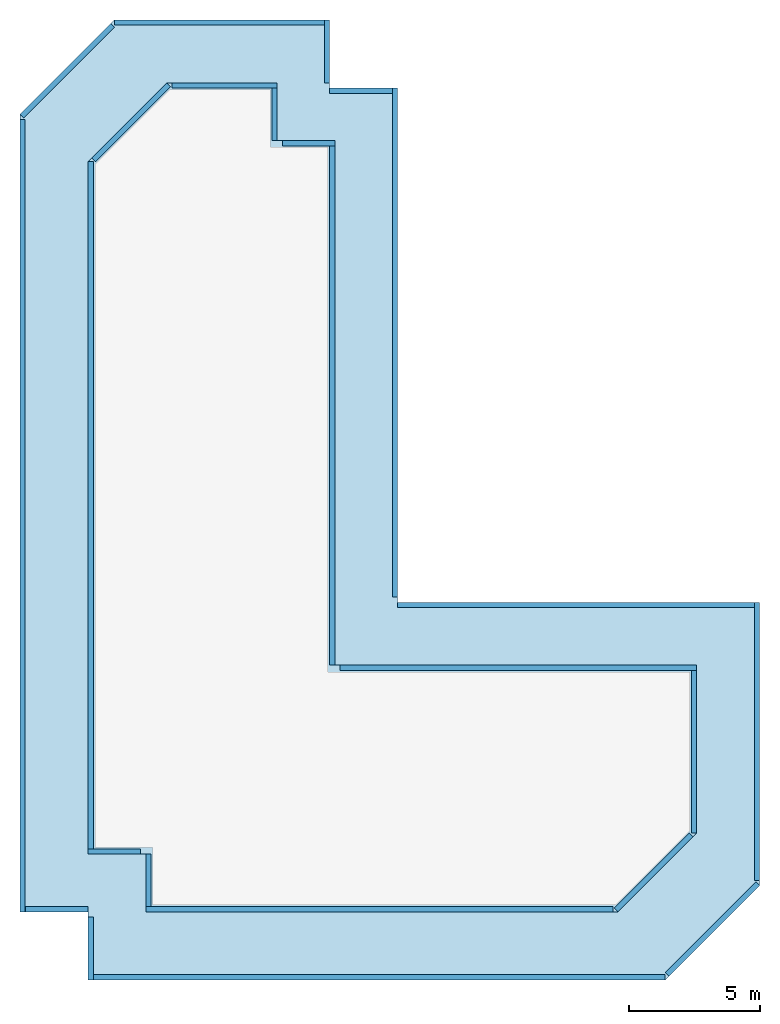
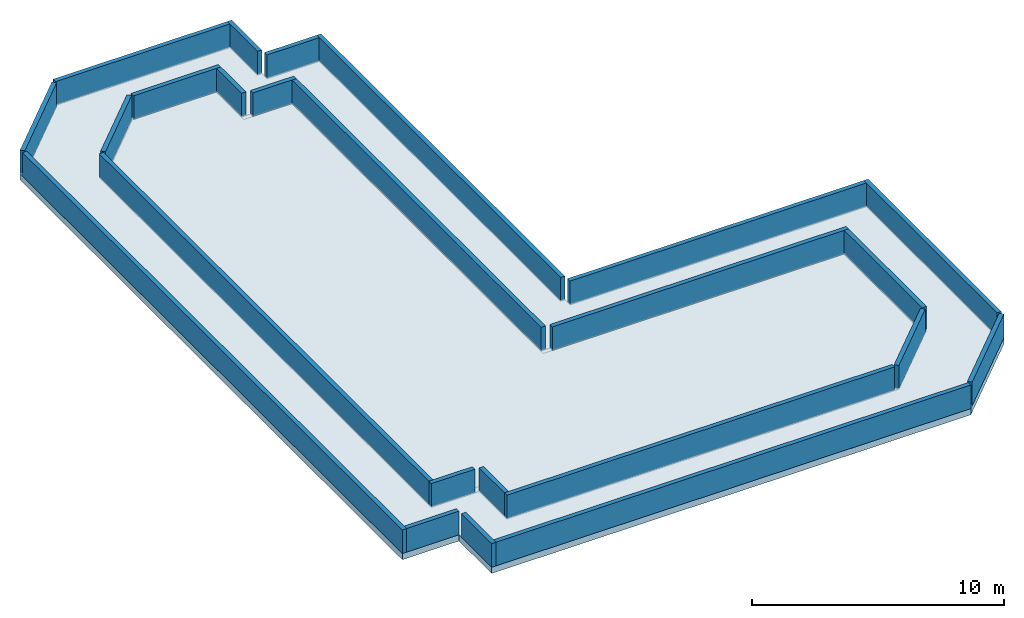
# One storey, part 1 of 2: 24 walls, 1 roof, 1 slab.
"""IFC4 building model written with IfcOpenShell, lengths in metres."""

from ifc_helpers import new_model, si_unit, direction, frame, frame_2d, origin, place, context, subcontext, project, spatial, polyline, rectangle, outline, extrude, material, layer, layer_set, type_object, element, save


model = new_model("IFC4")

# Units and contexts
model_context = context("Model", 3, precision=1e-05, world=origin(), true_north=direction((0.0, 1.0)))
body_context = subcontext(model_context, "Body", "Model", "MODEL_VIEW")
ifc_project = project(units=[si_unit("LENGTHUNIT", "METRE"), si_unit("AREAUNIT", "SQUARE_METRE"), si_unit("VOLUMEUNIT", "CUBIC_METRE"), si_unit("PLANEANGLEUNIT", "RADIAN"), si_unit("MASSUNIT", "GRAM", prefix="KILO")], contexts=[model_context])

# Site, building, storey
site_placement = place(None, origin())
site = spatial("IfcSite", under=ifc_project, at=site_placement, CompositionType="ELEMENT")
building_placement = place(site_placement, origin())
building = spatial("IfcBuilding", under=site, at=building_placement, Name="Nerrivon Quay Data Exchange", CompositionType="ELEMENT")
storey_placement = place(building_placement, frame((0.0, 0.0, 343.199951171875)))
storey = spatial("IfcBuildingStorey", under=building, at=storey_placement, Name="RF", CompositionType="ELEMENT", Elevation=343.199951171875)

# Slab
ifc_material_1 = material(Name="Concrete N50 (50 MPa)", Category="concrete")
ifc_layer_1 = layer(ifc_material_1, 0.300048828125)
ifc_layer_set_1 = layer_set([ifc_layer_1], Name="Concrete N50 (50 MPa)")
slab_type = type_object("IfcSlabType", Name="SLB-ROOF-300", PredefinedType="ROOF", material=ifc_layer_set_1)
slab_placement = place(storey_placement, frame((0.0, 0.0, -0.300048828125)))
element("IfcSlab", 1, at=slab_placement, inside=storey, type_object=slab_type, Name="RF Primary Structural Slab", PredefinedType="ROOF", context=body_context, shape_type="SweptSolid", body=[
    extrude(outline(polyline([(31.199951171875, 17.39990234375), (17.39990234375, 17.39990234375), (17.39990234375, 37.39990234375), (15.199951171875, 37.39990234375), (15.199951171875, 39.60009765625), (11.0, 39.60009765625), (8.0, 36.60009765625), (8.0, 10.199951171875), (10.199951171875, 10.199951171875), (10.199951171875, 8.0), (28.199951171875, 8.0), (31.199951171875, 11.0), (31.199951171875, 17.39990234375)])), origin(), (0.0, 0.0, 1.0), 0.300048828125),
])

# Walls
ifc_material_2 = material(Name="Precast concrete N50 (50 MPa)", Category="concrete")
ifc_layer_2 = layer(ifc_material_2, 0.199951171875)
ifc_layer_set_2 = layer_set([ifc_layer_2], Name="Precast concrete N50 (50 MPa)")
wall_type = type_object("IfcWallType", Name="PAR-RC-1", PredefinedType="PARAPET", material=ifc_layer_set_2)
wall_1_placement = place(storey_placement, frame((33.39990234375, 19.699951171875, 0.0), z_axis=(0.0, 0.0, 1.0), x_axis=(-1.0, 0.0, 0.0)))
element("IfcWall", 2, at=wall_1_placement, inside=storey, type_object=wall_type, Name="RF Stepped Crown Parapet 1.1", PredefinedType="PARAPET", context=body_context, shape_type="SweptSolid", body=[
    extrude(rectangle(XDim=13.599853515625, YDim=0.199951171875, at=frame_2d((6.7998046875, 0.0))), origin(), (0.0, 0.0, 1.0), 1.150146484375),
])
wall_2_placement = place(storey_placement, frame((19.699951171875, 20.0, 0.0), z_axis=(0.0, 0.0, 1.0), x_axis=(0.0, 1.0, 0.0)))
element("IfcWall", 3, at=wall_2_placement, inside=storey, type_object=wall_type, Name="RF Stepped Crown Parapet 1.2", PredefinedType="PARAPET", context=body_context, shape_type="SweptSolid", body=[
    extrude(rectangle(XDim=19.39990234375, YDim=0.199951171875, at=frame_2d((9.699951171875, 0.0))), origin(), (0.0, 0.0, 1.0), 1.150146484375),
])
wall_3_placement = place(storey_placement, frame((19.60009765625, 39.300048828125, 0.0), z_axis=(0.0, 0.0, 1.0), x_axis=(-1.0, 0.0, 0.0)))
element("IfcWall", 4, at=wall_3_placement, inside=storey, type_object=wall_type, Name="RF Stepped Crown Parapet 1.3", PredefinedType="PARAPET", context=body_context, shape_type="SweptSolid", body=[
    extrude(rectangle(XDim=2.400146484375, YDim=0.199951171875, at=frame_2d((1.2001953125, 0.0))), origin(), (0.0, 0.0, 1.0), 1.150146484375),
])
wall_4_placement = place(storey_placement, frame((17.10009765625, 39.60009765625, 0.0), z_axis=(0.0, 0.0, 1.0), x_axis=(0.0, 1.0, 0.0)))
element("IfcWall", 5, at=wall_4_placement, inside=storey, type_object=wall_type, Name="RF Stepped Crown Parapet 1.4", PredefinedType="PARAPET", context=body_context, shape_type="SweptSolid", body=[
    extrude(rectangle(XDim=2.39990234375, YDim=0.199951171875, at=frame_2d((1.199951171875, 0.0))), origin(), (0.0, 0.0, 1.0), 1.150146484375),
])
wall_5_placement = place(storey_placement, frame((17.0, 41.89990234375, 0.0), z_axis=(0.0, 0.0, 1.0), x_axis=(-1.0, 0.0, 0.0)))
element("IfcWall", 6, at=wall_5_placement, inside=storey, type_object=wall_type, Name="RF Stepped Crown Parapet 1.5", PredefinedType="PARAPET", context=body_context, shape_type="SweptSolid", body=[
    extrude(rectangle(XDim=8.0, YDim=0.199951171875, at=frame_2d((4.0, 0.0))), origin(), (0.0, 0.0, 1.0), 1.150146484375),
])
wall_6_placement = place(storey_placement, frame((8.92919921875, 41.787841796875, 0.0), z_axis=(0.0, 0.0, 1.0), x_axis=(-0.707106781187, -0.707106781187, 0.0)))
element("IfcWall", 7, at=wall_6_placement, inside=storey, type_object=wall_type, Name="RF Stepped Crown Parapet 1.6", PredefinedType="PARAPET", context=body_context, shape_type="SweptSolid", body=[
    extrude(rectangle(XDim=4.89111328125, YDim=0.199951171875, at=frame_2d((2.445556640625, 0.0))), origin(), (0.0, 0.0, 1.0), 1.150146484375),
])
wall_7_placement = place(storey_placement, frame((5.5, 38.199951171875, 0.0), z_axis=(0.0, 0.0, 1.0), x_axis=(0.0, -1.0, 0.0)))
element("IfcWall", 8, at=wall_7_placement, inside=storey, type_object=wall_type, Name="RF Stepped Crown Parapet 1.7", PredefinedType="PARAPET", context=body_context, shape_type="SweptSolid", body=[
    extrude(rectangle(XDim=30.199951171875, YDim=0.199951171875, at=frame_2d((15.10009765625, 0.0))), origin(), (0.0, 0.0, 1.0), 1.150146484375),
])
wall_8_placement = place(storey_placement, frame((5.60009765625, 8.10009765625, 0.0), z_axis=(0.0, 0.0, 1.0), x_axis=(1.0, 0.0, 0.0)))
element("IfcWall", 9, at=wall_8_placement, inside=storey, type_object=wall_type, Name="RF Stepped Crown Parapet 1.8", PredefinedType="PARAPET", context=body_context, shape_type="SweptSolid", body=[
    extrude(rectangle(XDim=2.39990234375, YDim=0.199951171875, at=frame_2d((1.199951171875, 0.0))), origin(), (0.0, 0.0, 1.0), 1.150146484375),
])
wall_9_placement = place(storey_placement, frame((8.10009765625, 7.800048828125, 0.0), z_axis=(0.0, 0.0, 1.0), x_axis=(0.0, -1.0, 0.0)))
element("IfcWall", 10, at=wall_9_placement, inside=storey, type_object=wall_type, Name="RF Stepped Crown Parapet 1.9", PredefinedType="PARAPET", context=body_context, shape_type="SweptSolid", body=[
    extrude(rectangle(XDim=2.400146484375, YDim=0.199951171875, at=frame_2d((1.2001953125, 0.0))), origin(), (0.0, 0.0, 1.0), 1.150146484375),
])
wall_10_placement = place(storey_placement, frame((8.199951171875, 5.5, 0.0), z_axis=(0.0, 0.0, 1.0), x_axis=(1.0, 0.0, 0.0)))
element("IfcWall", 11, at=wall_10_placement, inside=storey, type_object=wall_type, Name="RF Stepped Crown Parapet 1.10", PredefinedType="PARAPET", context=body_context, shape_type="SweptSolid", body=[
    extrude(rectangle(XDim=21.800048828125, YDim=0.199951171875, at=frame_2d((10.89990234375, 0.0))), origin(), (0.0, 0.0, 1.0), 1.150146484375),
])
wall_11_placement = place(storey_placement, frame((30.07080078125, 5.612060546875, 0.0), z_axis=(0.0, 0.0, 1.0), x_axis=(0.707081823743, 0.70713173775, 0.0)))
element("IfcWall", 12, at=wall_11_placement, inside=storey, type_object=wall_type, Name="RF Stepped Crown Parapet 1.11", PredefinedType="PARAPET", context=body_context, shape_type="SweptSolid", body=[
    extrude(rectangle(XDim=4.89111328125, YDim=0.199951171875, at=frame_2d((2.445556640625, 0.0))), origin(), (0.0, 0.0, 1.0), 1.150146484375),
])
wall_12_placement = place(storey_placement, frame((33.5, 9.199951171875, 0.0), z_axis=(0.0, 0.0, 1.0), x_axis=(0.0, 1.0, 0.0)))
element("IfcWall", 13, at=wall_12_placement, inside=storey, type_object=wall_type, Name="RF Stepped Crown Parapet 1.12", PredefinedType="PARAPET", context=body_context, shape_type="SweptSolid", body=[
    extrude(rectangle(XDim=10.60009765625, YDim=0.199951171875, at=frame_2d((5.300048828125, 0.0))), origin(), (0.0, 0.0, 1.0), 1.150146484375),
])
wall_13_placement = place(storey_placement, frame((30.98779296875, 10.92919921875, 0.0), z_axis=(0.0, 0.0, 1.0), x_axis=(-0.707106781187, -0.707106781187, 0.0)))
element("IfcWall", 14, at=wall_13_placement, inside=storey, type_object=wall_type, Name="RF Maintenance Roof Parapet Wall 1", PredefinedType="PARAPET", context=body_context, shape_type="SweptSolid", body=[
    extrude(rectangle(XDim=4.04248046875, YDim=0.199951171875, at=frame_2d((2.021240234375, 0.0))), origin(), (0.0, 0.0, 1.0), 1.150146484375),
])
wall_14_placement = place(storey_placement, frame((28.0, 8.10009765625, 0.0), z_axis=(0.0, 0.0, 1.0), x_axis=(-1.0, 0.0, 0.0)))
element("IfcWall", 15, at=wall_14_placement, inside=storey, type_object=wall_type, Name="RF Maintenance Roof Parapet Wall 2", PredefinedType="PARAPET", context=body_context, shape_type="SweptSolid", body=[
    extrude(rectangle(XDim=17.800048828125, YDim=0.199951171875, at=frame_2d((8.89990234375, 0.0))), origin(), (0.0, 0.0, 1.0), 1.150146484375),
])
for number, where, z_axis, x_axis, name in (
    (16, (10.300048828125, 8.199951171875, 0.0), (0.0, 0.0, 1.0), (0.0, 1.0, 0.0), "RF Maintenance Roof Parapet Wall 3"),
    (17, (10.0, 10.300048828125, 0.0), (0.0, 0.0, 1.0), (-1.0, 0.0, 0.0), "RF Maintenance Roof Parapet Wall 4"),
):
    element("IfcWall", number, at=place(storey_placement, frame(where, z_axis=z_axis, x_axis=x_axis)), inside=storey, type_object=wall_type, Name=name, PredefinedType="PARAPET", context=body_context, shape_type="SweptSolid", body=[
        extrude(rectangle(XDim=2.0, YDim=0.199951171875, at=frame_2d((1.0, 0.0))), origin(), (0.0, 0.0, 1.0), 1.150146484375),
    ])
wall_15_placement = place(storey_placement, frame((8.10009765625, 10.39990234375, 0.0), z_axis=(0.0, 0.0, 1.0), x_axis=(0.0, 1.0, 0.0)))
element("IfcWall", 18, at=wall_15_placement, inside=storey, type_object=wall_type, Name="RF Maintenance Roof Parapet Wall 5", PredefinedType="PARAPET", context=body_context, shape_type="SweptSolid", body=[
    extrude(rectangle(XDim=26.2001953125, YDim=0.199951171875, at=frame_2d((13.10009765625, 0.0))), origin(), (0.0, 0.0, 1.0), 1.150146484375),
])
wall_16_placement = place(storey_placement, frame((8.212158203125, 36.670654296875, 0.0), z_axis=(0.0, 0.0, 1.0), x_axis=(0.707106781187, 0.707106781187, 0.0)))
element("IfcWall", 19, at=wall_16_placement, inside=storey, type_object=wall_type, Name="RF Maintenance Roof Parapet Wall 6", PredefinedType="PARAPET", context=body_context, shape_type="SweptSolid", body=[
    extrude(rectangle(XDim=4.042724609375, YDim=0.199951171875, at=frame_2d((2.021484375, 0.0))), origin(), (0.0, 0.0, 1.0), 1.150146484375),
])
wall_17_placement = place(storey_placement, frame((11.199951171875, 39.5, 0.0), z_axis=(0.0, 0.0, 1.0), x_axis=(1.0, 0.0, 0.0)))
element("IfcWall", 20, at=wall_17_placement, inside=storey, type_object=wall_type, Name="RF Maintenance Roof Parapet Wall 7", PredefinedType="PARAPET", context=body_context, shape_type="SweptSolid", body=[
    extrude(rectangle(XDim=4.0, YDim=0.199951171875, at=frame_2d((2.0, 0.0))), origin(), (0.0, 0.0, 1.0), 1.150146484375),
])
for number, where, z_axis, x_axis, name in (
    (21, (15.10009765625, 39.39990234375, 0.0), (0.0, 0.0, 1.0), (0.0, -1.0, 0.0), "RF Maintenance Roof Parapet Wall 8"),
    (22, (15.39990234375, 37.300048828125, 0.0), (0.0, 0.0, 1.0), (1.0, 0.0, 0.0), "RF Maintenance Roof Parapet Wall 9"),
):
    element("IfcWall", number, at=place(storey_placement, frame(where, z_axis=z_axis, x_axis=x_axis)), inside=storey, type_object=wall_type, Name=name, PredefinedType="PARAPET", context=body_context, shape_type="SweptSolid", body=[
        extrude(rectangle(XDim=2.0, YDim=0.199951171875, at=frame_2d((1.0, 0.0))), origin(), (0.0, 0.0, 1.0), 1.150146484375),
    ])
wall_18_placement = place(storey_placement, frame((17.300048828125, 37.199951171875, 0.0), z_axis=(0.0, 0.0, 1.0), x_axis=(0.0, -1.0, 0.0)))
element("IfcWall", 23, at=wall_18_placement, inside=storey, type_object=wall_type, Name="RF Maintenance Roof Parapet Wall 10", PredefinedType="PARAPET", context=body_context, shape_type="SweptSolid", body=[
    extrude(rectangle(XDim=19.800048828125, YDim=0.199951171875, at=frame_2d((9.89990234375, 0.0))), origin(), (0.0, 0.0, 1.0), 1.150146484375),
])
wall_19_placement = place(storey_placement, frame((17.60009765625, 17.300048828125, 0.0), z_axis=(0.0, 0.0, 1.0), x_axis=(1.0, 0.0, 0.0)))
element("IfcWall", 24, at=wall_19_placement, inside=storey, type_object=wall_type, Name="RF Maintenance Roof Parapet Wall 11", PredefinedType="PARAPET", context=body_context, shape_type="SweptSolid", body=[
    extrude(rectangle(XDim=13.599853515625, YDim=0.199951171875, at=frame_2d((6.7998046875, 0.0))), origin(), (0.0, 0.0, 1.0), 1.150146484375),
])
wall_20_placement = place(storey_placement, frame((31.10009765625, 17.199951171875, 0.0), z_axis=(0.0, 0.0, 1.0), x_axis=(0.0, -1.0, 0.0)))
element("IfcWall", 25, at=wall_20_placement, inside=storey, type_object=wall_type, Name="RF Maintenance Roof Parapet Wall 12", PredefinedType="PARAPET", context=body_context, shape_type="SweptSolid", body=[
    extrude(rectangle(XDim=6.199951171875, YDim=0.199951171875, at=frame_2d((3.10009765625, 0.0))), origin(), (0.0, 0.0, 1.0), 1.150146484375),
])

# Roof
ifc_layer_3 = layer(ifc_material_1, 0.300048828125)
ifc_layer_set_3 = layer_set([ifc_layer_3], Name="Concrete N50 (50 MPa)")
roof_type = type_object("IfcRoofType", Name="ROOF-CROWN-300", PredefinedType="FLAT_ROOF", material=ifc_layer_set_3)
roof_placement = place(storey_placement, frame((0.0, 0.0, -0.300048828125)))
element("IfcRoof", 26, at=roof_placement, inside=storey, type_object=roof_type, Name="RF Stepped Crown Cap Roof 1", PredefinedType="FLAT_ROOF", context=body_context, shape_type="SweptSolid", body=[
    extrude(outline(polyline([(33.60009765625, 19.800048828125), (19.800048828125, 19.800048828125), (19.800048828125, 39.39990234375), (17.199951171875, 39.39990234375), (17.199951171875, 42.0), (9.0, 42.0), (5.39990234375, 38.39990234375), (5.39990234375, 8.0), (8.0, 8.0), (8.0, 5.39990234375), (30.0, 5.39990234375), (33.60009765625, 9.0), (33.60009765625, 19.800048828125)])), origin(), (0.0, 0.0, 1.0), 0.300048828125),
])

save(model, "model.ifc")
